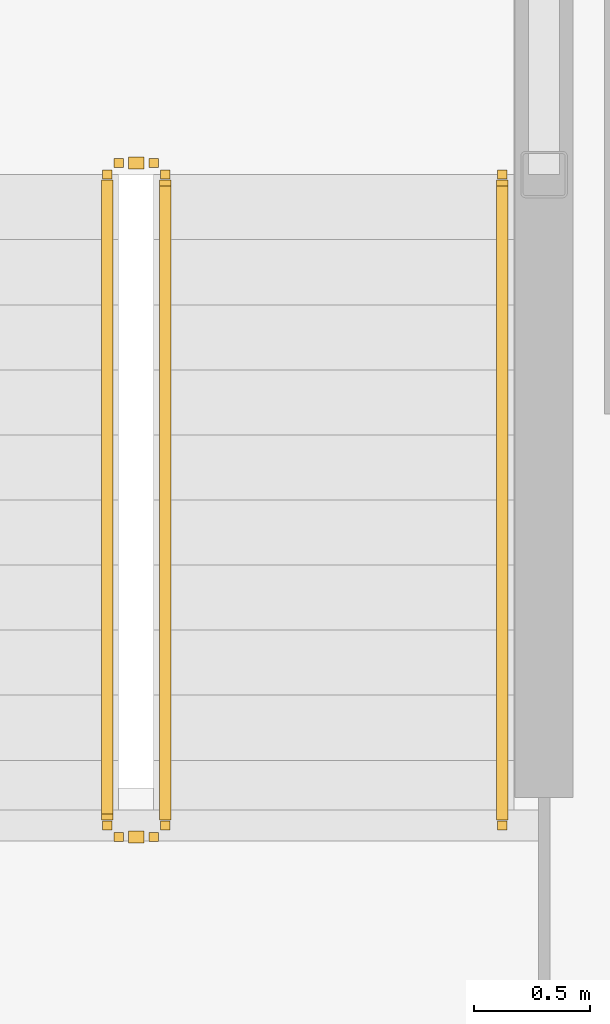
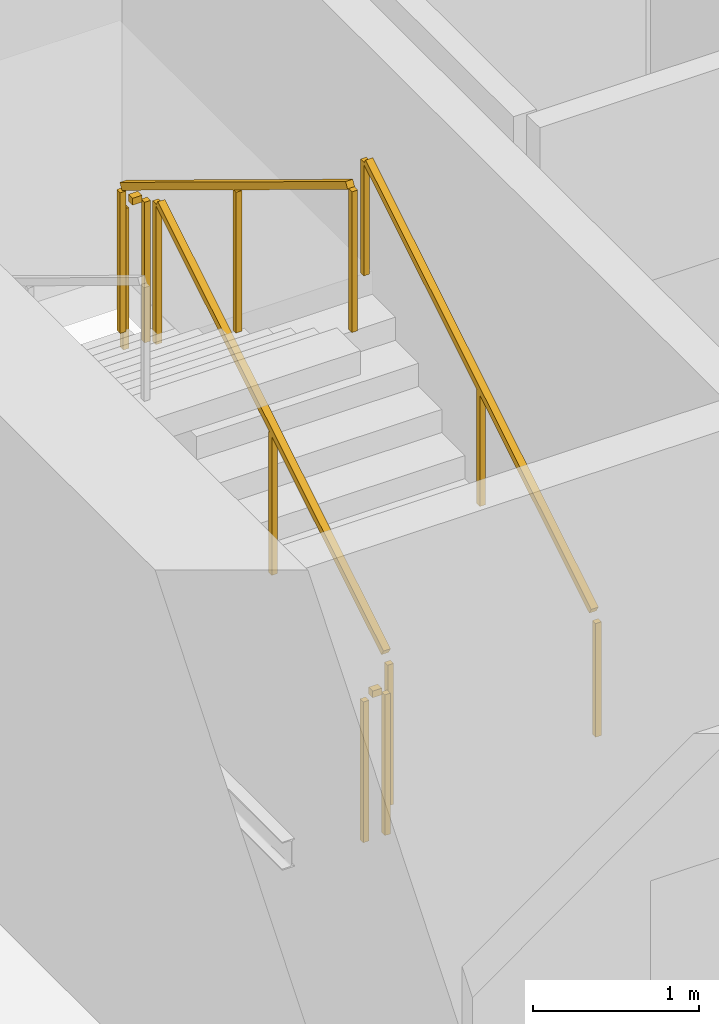
# One storey, part 17 of 20: 5 railings.
"""IFC4 building model written with IfcOpenShell, lengths in metres."""

from ifc_helpers import new_model, si_unit, direction, frame, origin, origin_2d, place, context, subcontext, project, spatial, rectangle, extrude, material, type_object, element, save


model = new_model("IFC4")

# Units and contexts
model_context = context("Model", 3, precision=1e-05, world=origin(), true_north=direction((0.0, 1.0)))
body_context = subcontext(model_context, "Body", "Model", "MODEL_VIEW")
ifc_project = project(units=[si_unit("LENGTHUNIT", "METRE"), si_unit("AREAUNIT", "SQUARE_METRE"), si_unit("VOLUMEUNIT", "CUBIC_METRE"), si_unit("PLANEANGLEUNIT", "RADIAN"), si_unit("MASSUNIT", "GRAM", prefix="KILO")], contexts=[model_context])

# Site, building, storey
site_placement = place(None, origin())
site = spatial("IfcSite", under=ifc_project, at=site_placement, CompositionType="ELEMENT")
building_placement = place(site_placement, origin())
building = spatial("IfcBuilding", under=site, at=building_placement, Name="Kazma Halo Residences", CompositionType="ELEMENT")
storey_placement = place(building_placement, frame((0.0, 0.0, 165.300048828125)))
storey = spatial("IfcBuildingStorey", under=building, at=storey_placement, Name="L41", CompositionType="ELEMENT", Elevation=165.300048828125)

# Railings
ifc_material_1 = material(Name="Painted Steel S355", Category="steel")
railing_type_1 = type_object("IfcRailingType", Name="RLG-STAIR-GRD-1100", PredefinedType="GUARDRAIL", material=ifc_material_1)
railing_1_placement = place(storey_placement, frame((39.550048828125, 39.949951171875, 0.17041015625)))
element("IfcRailing", 1, at=railing_1_placement, inside=storey, type_object=railing_type_1, Name="L41 ST-01 stair guard 1", PredefinedType="GUARDRAIL", context=body_context, shape_type="SweptSolid", body=[
    extrude(rectangle(XDim=0.050048828125, YDim=0.050048828125, at=origin_2d()), frame((0.0, 0.036376953125, 1.09716796875), z_axis=(0.0, 0.854169791009, 0.51999420009), x_axis=(-1.0, 0.0, 0.0)), (0.0, 0.0, 1.0), 3.193115234375),
    extrude(rectangle(XDim=0.0400390625, YDim=0.0400390625, at=origin_2d()), origin(), (0.0, 0.0, 1.0), 1.0380859375),
    extrude(rectangle(XDim=0.0400390625, YDim=0.0400390625, at=origin_2d()), frame((0.0, 1.39990234375, 0.852294921875)), (0.0, 0.0, 1.0), 1.0380859375),
    extrude(rectangle(XDim=0.0400390625, YDim=0.0400390625, at=origin_2d()), frame((0.0, 2.800048828125, 1.70458984375)), (0.0, 0.0, 1.0), 1.0380859375),
])
railing_2_placement = place(storey_placement, frame((39.5, 42.800048828125, 1.875)))
element("IfcRailing", 2, at=railing_2_placement, inside=storey, type_object=railing_type_1, Name="L41 ST-01 stair guard 2", PredefinedType="GUARDRAIL", context=body_context, shape_type="SweptSolid", body=[
    extrude(rectangle(XDim=0.050048828125, YDim=0.050048828125, at=origin_2d()), frame((-0.04248046875, 0.0, 1.0751953125), z_axis=(-1.0, 0.0, 0.0), x_axis=(0.0, -1.0, 0.0)), (0.0, 0.0, 1.0), 0.06494140625),
    extrude(rectangle(XDim=0.0400390625, YDim=0.0400390625, at=origin_2d()), origin(), (0.0, 0.0, 1.0), 1.0380859375),
    extrude(rectangle(XDim=0.0400390625, YDim=0.0400390625, at=origin_2d()), frame((-0.14990234375, 0.0, 0.0)), (0.0, 0.0, 1.0), 1.0380859375),
])
railing_3_placement = place(storey_placement, frame((39.300048828125, 42.75, 2.04541015625)))
element("IfcRailing", 3, at=railing_3_placement, inside=storey, type_object=railing_type_1, Name="L41 ST-01 stair guard 3", PredefinedType="GUARDRAIL", context=body_context, shape_type="SweptSolid", body=[
    extrude(rectangle(XDim=0.050048828125, YDim=0.050048828125, at=origin_2d()), frame((0.0, -0.036376953125, 1.09716796875), z_axis=(0.0, -0.854169791009, 0.51999420009), x_axis=(1.0, 0.0, 0.0)), (0.0, 0.0, 1.0), 3.193115234375),
    extrude(rectangle(XDim=0.0400390625, YDim=0.0400390625, at=origin_2d()), origin(), (0.0, 0.0, 1.0), 1.0380859375),
    extrude(rectangle(XDim=0.0400390625, YDim=0.0400390625, at=origin_2d()), frame((0.0, -1.39990234375, 0.852294921875)), (0.0, 0.0, 1.0), 1.0380859375),
    extrude(rectangle(XDim=0.0400390625, YDim=0.0400390625, at=origin_2d()), frame((0.0, -2.800048828125, 1.70458984375)), (0.0, 0.0, 1.0), 1.0380859375),
])
railing_4_placement = place(storey_placement, frame((39.5, 39.89990234375, 0.0)))
element("IfcRailing", 4, at=railing_4_placement, inside=storey, type_object=railing_type_1, Name="L41 ST-01 stair guard 4", PredefinedType="GUARDRAIL", context=body_context, shape_type="SweptSolid", body=[
    extrude(rectangle(XDim=0.050048828125, YDim=0.050048828125, at=origin_2d()), frame((-0.04248046875, 0.0, 1.0751953125), z_axis=(-1.0, 0.0, 0.0), x_axis=(0.0, -1.0, 0.0)), (0.0, 0.0, 1.0), 0.06494140625),
    extrude(rectangle(XDim=0.0400390625, YDim=0.0400390625, at=origin_2d()), origin(), (0.0, 0.0, 1.0), 1.0380859375),
    extrude(rectangle(XDim=0.0400390625, YDim=0.0400390625, at=origin_2d()), frame((-0.14990234375, 0.0, 0.0)), (0.0, 0.0, 1.0), 1.0380859375),
])
ifc_material_2 = material(Name="Brushed Stainless Steel", Category="steel")
railing_type_2 = type_object("IfcRailingType", Name="RLG-STAIR-HND-900", PredefinedType="HANDRAIL", material=ifc_material_2)
railing_5_placement = place(storey_placement, frame((41.0, 39.949951171875, 0.17041015625)))
element("IfcRailing", 5, at=railing_5_placement, inside=storey, type_object=railing_type_2, Name="L41 ST-01 stair handrail 1", PredefinedType="HANDRAIL", context=body_context, shape_type="SweptSolid", body=[
    extrude(rectangle(XDim=0.050048828125, YDim=0.050048828125, at=origin_2d()), frame((0.0, 0.036376953125, 0.89697265625), z_axis=(0.0, 0.854169791009, 0.51999420009), x_axis=(-1.0, 0.0, 0.0)), (0.0, 0.0, 1.0), 3.193115234375),
    extrude(rectangle(XDim=0.0400390625, YDim=0.0400390625, at=origin_2d()), origin(), (0.0, 0.0, 1.0), 0.837890625),
    extrude(rectangle(XDim=0.0400390625, YDim=0.0400390625, at=origin_2d()), frame((0.0, 1.39990234375, 0.852294921875)), (0.0, 0.0, 1.0), 0.837890625),
    extrude(rectangle(XDim=0.0400390625, YDim=0.0400390625, at=origin_2d()), frame((0.0, 2.800048828125, 1.70458984375)), (0.0, 0.0, 1.0), 0.837890625),
])

save(model, "model.ifc")
